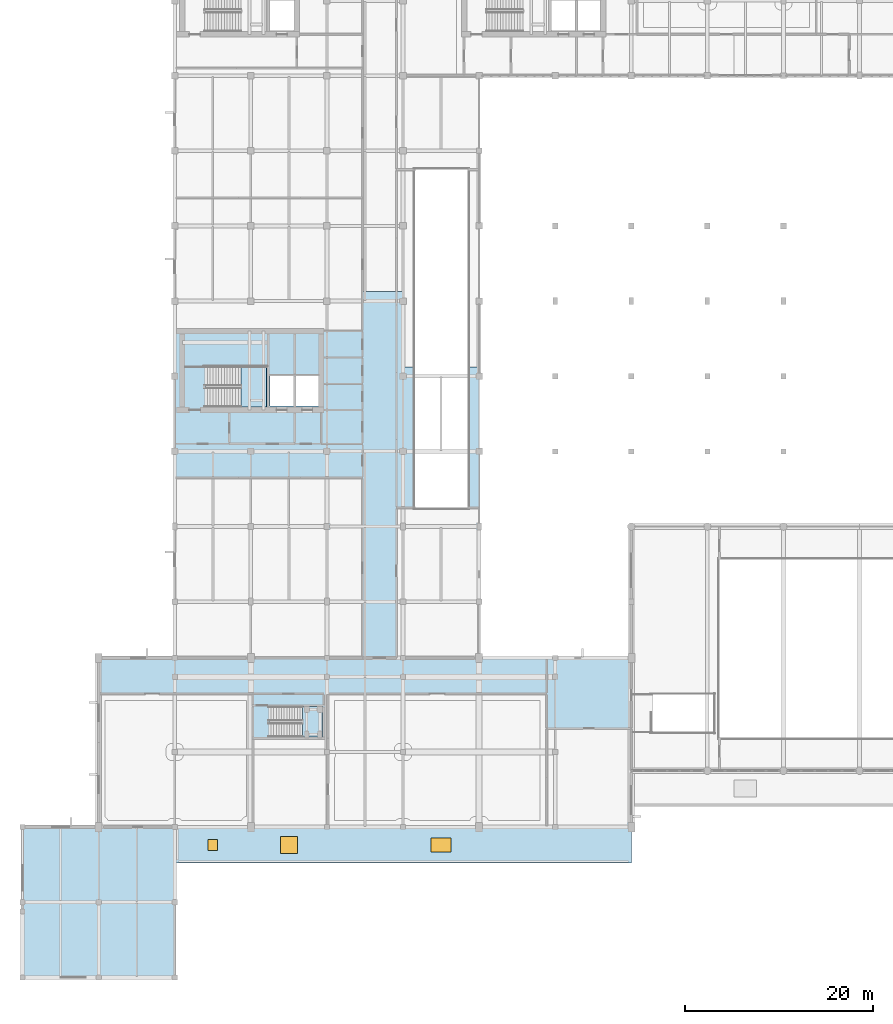
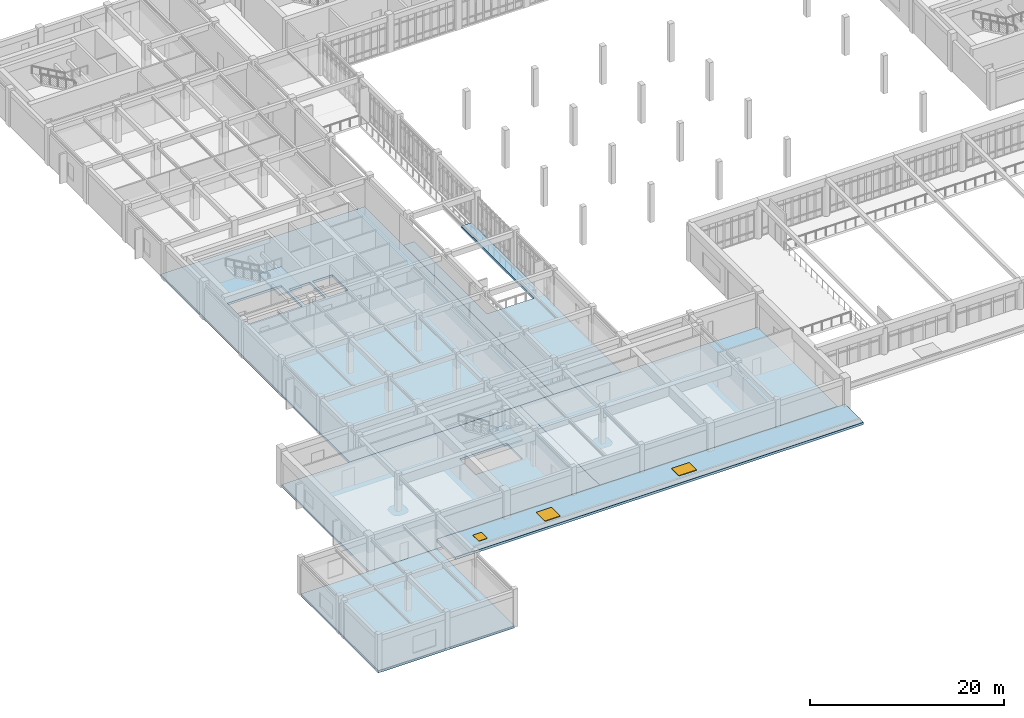
# One storey, part 28 of 61: 8 slabs, 2 windows, 1 door, 3 openings, 2 elements without a shape of their own.
"""IFC4 building model written with IfcOpenShell, lengths in metres."""

from ifc_helpers import new_model, si_unit, direction, frame, origin, origin_2d, place, context, subcontext, project, spatial, polyline, rectangle, outline, extrude, material, layer, layer_set, type_object, element, fill, aggregate, save


model = new_model("IFC4")

# Units and contexts
model_context = context("Model", 3, precision=1e-05, world=origin(), true_north=direction((0.0, 1.0)))
body_context = subcontext(model_context, "Body", "Model", "MODEL_VIEW")
ifc_project = project(units=[si_unit("LENGTHUNIT", "METRE"), si_unit("AREAUNIT", "SQUARE_METRE"), si_unit("VOLUMEUNIT", "CUBIC_METRE"), si_unit("PLANEANGLEUNIT", "RADIAN"), si_unit("MASSUNIT", "GRAM", prefix="KILO")], contexts=[model_context])

# Site, building, storey
site_placement = place(None, origin())
site = spatial("IfcSite", under=ifc_project, at=site_placement, CompositionType="ELEMENT")
building_placement = place(site_placement, origin())
building = spatial("IfcBuilding", under=site, at=building_placement, Name="Tarnveldt Square Police Headquarters", CompositionType="ELEMENT")
storey_placement = place(building_placement, frame((0.0, 0.0, 5.39990234375)))
storey = spatial("IfcBuildingStorey", under=building, at=storey_placement, Name="L01", CompositionType="ELEMENT", Elevation=5.39990234375)

# Slab, openings, door, windows
ifc_material_1 = material(Name="Concrete 40 MPa", Category="concrete")
ifc_layer_1 = layer(ifc_material_1, 0.300048828125)
ifc_layer_set_1 = layer_set([ifc_layer_1], Name="Concrete 40 MPa")
slab_type_1 = type_object("IfcSlabType", Name="SL-COL-300", PredefinedType="ROOF", material=ifc_layer_set_1)
slab_1_placement = place(storey_placement, frame((0.0, 0.0, 0.900146484375)))
slab_1 = element("IfcSlab", 1, at=slab_1_placement, inside=storey, type_object=slab_type_1, Name="Tarnveldt Square Exposed Colonnade Deck COL-S-WEST", PredefinedType="ROOF", context=body_context, shape_type="SweptSolid", body=[
    extrude(outline(polyline([(16.199951171875, 12.199951171875), (16.199951171875, 16.0), (64.800048828125, 16.0), (64.800048828125, 12.199951171875), (16.199951171875, 12.199951171875)])), origin(), (0.0, 0.0, 1.0), 0.300048828125),
])
opening_1_placement = place(slab_1_placement, frame((28.35009765625, 14.10009765625, 0.0)))
opening_1 = element("IfcOpeningElement", 2, at=opening_1_placement, cuts=slab_1, Name="Opening SK1", PredefinedType="OPENING", context=body_context, shape_type="SweptSolid", body=[
    extrude(rectangle(XDim=1.800048828125, YDim=1.800048828125, at=origin_2d()), frame((0.0, 0.0, -0.010009765625)), (0.0, 0.0, 1.0), 0.380126953125),
])
opening_2_placement = place(slab_1_placement, frame((44.550048828125, 14.10009765625, 0.0)))
opening_2 = element("IfcOpeningElement", 3, at=opening_2_placement, cuts=slab_1, Name="Opening SK2", PredefinedType="OPENING", context=body_context, shape_type="SweptSolid", body=[
    extrude(rectangle(XDim=2.10009765625, YDim=1.5, at=origin_2d()), frame((0.0, 0.0, -0.010009765625)), (0.0, 0.0, 1.0), 0.380126953125),
])
opening_3_placement = place(slab_1_placement, frame((20.25, 14.10009765625, 0.0)))
opening_3 = element("IfcOpeningElement", 4, at=opening_3_placement, cuts=slab_1, Name="Opening RH1", PredefinedType="OPENING", context=body_context, shape_type="SweptSolid", body=[
    extrude(rectangle(XDim=1.0, YDim=1.199951171875, at=origin_2d()), frame((0.0, 0.0, -0.010009765625)), (0.0, 0.0, 1.0), 0.380126953125),
])
ifc_material_2 = material(Name="Steel 350W", Category="steel")
door_type = type_object("IfcDoorType", Name="HT-ROOF-100x120", OperationType="SINGLE_SWING_LEFT", PredefinedType="TRAPDOOR", material=ifc_material_2)
door_placement = place(opening_3_placement, frame((0.0, 0.0, 0.300048828125)))
door = element("IfcDoor", 5, at=door_placement, inside=storey, type_object=door_type, Name="Roof Maintenance Access Hatch HT-CND-1", OperationType="SINGLE_SWING_LEFT", OverallHeight=1.199951171875, OverallWidth=1.0, PredefinedType="TRAPDOOR", context=body_context, shape_type="SweptSolid", body=[
    extrude(rectangle(XDim=1.0, YDim=1.199951171875, at=origin_2d()), origin(), (0.0, 0.0, 1.0), 0.050048828125),
])
fill(opening_3, door)
ifc_material_3 = material(Name="Triple-glazed low-e laminated vision glass", Category="glass")
window_type_1 = type_object("IfcWindowType", Name="SKY-180x180", PartitioningType="SINGLE_PANEL", PredefinedType="SKYLIGHT", material=ifc_material_3)
window_1_placement = place(opening_1_placement, frame((0.0, 0.0, 0.300048828125)))
window_1 = element("IfcWindow", 6, at=window_1_placement, inside=storey, type_object=window_type_1, Name="Architectural Daylighting Skylight SKY-CND-1", OverallHeight=1.800048828125, OverallWidth=1.800048828125, PartitioningType="SINGLE_PANEL", PredefinedType="SKYLIGHT", context=body_context, shape_type="SweptSolid", body=[
    extrude(rectangle(XDim=1.800048828125, YDim=1.800048828125, at=origin_2d()), origin(), (0.0, 0.0, 1.0), 0.050048828125),
])
fill(opening_1, window_1)
window_type_2 = type_object("IfcWindowType", Name="SKY-210x150", PartitioningType="SINGLE_PANEL", PredefinedType="SKYLIGHT", material=ifc_material_3)
window_2_placement = place(opening_2_placement, frame((0.0, 0.0, 0.300048828125)))
window_2 = element("IfcWindow", 7, at=window_2_placement, inside=storey, type_object=window_type_2, Name="Architectural Daylighting Skylight SKY-CND-2", OverallHeight=1.5, OverallWidth=2.10009765625, PartitioningType="SINGLE_PANEL", PredefinedType="SKYLIGHT", context=body_context, shape_type="SweptSolid", body=[
    extrude(rectangle(XDim=2.10009765625, YDim=1.5, at=origin_2d()), origin(), (0.0, 0.0, 1.0), 0.050048828125),
])
fill(opening_2, window_2)

# Stair, slab
stair_type_1 = type_object("IfcStairType", Name="STR-HT-48A", PredefinedType="HALF_TURN_STAIR", material=ifc_material_1)
stair_1_placement = place(storey_placement, origin())
stair_1 = element("IfcStair", 8, at=stair_1_placement, inside=storey, type_object=stair_type_1, Name="L01 Core K1 Exit Stair ST1", PredefinedType="HALF_TURN_STAIR")
ifc_layer_2 = layer(ifc_material_1, 0.179931640625)
ifc_layer_set_2 = layer_set([ifc_layer_2], Name="Concrete 40 MPa")
slab_type_2 = type_object("IfcSlabType", Name="SL-LND-180", PredefinedType="LANDING", material=ifc_layer_set_2)
slab_2_placement = place(storey_placement, frame((0.0, 0.0, 2.2001953125)))
slab_2 = element("IfcSlab", 9, at=slab_2_placement, type_object=slab_type_2, Name="ST1 landing 1", PredefinedType="LANDING", context=body_context, shape_type="SweptSolid", body=[
    extrude(outline(polyline([(23.27001953125, 60.719970703125), (25.969970703125, 60.719970703125), (25.969970703125, 65.02001953125), (23.27001953125, 65.02001953125), (23.27001953125, 60.719970703125)])), origin(), (0.0, 0.0, 1.0), 0.199951171875),
])
aggregate(stair_1, [slab_2])

stair_type_2 = type_object("IfcStairType", Name="STR-HT-48C", PredefinedType="HALF_TURN_STAIR", material=ifc_material_1)
stair_2_placement = place(storey_placement, origin())
stair_2 = element("IfcStair", 10, at=stair_2_placement, inside=storey, type_object=stair_type_2, Name="L01 Plinth and Command Lantern Exit Stair ST6", PredefinedType="HALF_TURN_STAIR")
slab_3_placement = place(storey_placement, frame((0.0, 0.0, 2.2001953125)))
slab_3 = element("IfcSlab", 11, at=slab_3_placement, type_object=slab_type_2, Name="ST6 landing 1", PredefinedType="LANDING", context=body_context, shape_type="SweptSolid", body=[
    extrude(outline(polyline([(29.81005859375, 25.580078125), (31.949951171875, 25.580078125), (31.949951171875, 28.820068359375), (29.81005859375, 28.820068359375), (29.81005859375, 25.580078125)])), origin(), (0.0, 0.0, 1.0), 0.199951171875),
])
aggregate(stair_2, [slab_3])

# Slabs
ifc_layer_3 = layer(ifc_material_1, 0.280029296875)
ifc_layer_set_3 = layer_set([ifc_layer_3], Name="Concrete 40 MPa")
slab_type_3 = type_object("IfcSlabType", Name="SL-POD-280", PredefinedType="FLOOR", material=ifc_layer_set_3)
slab_4_placement = place(storey_placement, frame((0.0, 0.0, -0.27978515625)))
element("IfcSlab", 12, at=slab_4_placement, inside=storey, type_object=slab_type_3, Name="L01 Structural Floor Slab L01-V4-SW-1", PredefinedType="FLOOR", context=body_context, shape_type="SweptSolid", body=[
    extrude(outline(polyline([(16.199951171875, 16.0), (16.199951171875, 0.0), (0.0, 0.0), (0.0, 16.0), (16.199951171875, 16.0)])), origin(), (0.0, 0.0, 1.0), 0.27978515625),
])
slab_5_placement = place(storey_placement, frame((0.0, 0.0, -0.27978515625)))
element("IfcSlab", 13, at=slab_5_placement, inside=storey, type_object=slab_type_3, Name="L01 Structural Floor Slab L01-V4-1", PredefinedType="FLOOR", context=body_context, shape_type="SweptSolid", body=[
    extrude(outline(polyline([(16.199951171875, 16.0), (8.10009765625, 16.0), (8.10009765625, 34.0), (36.449951171875, 34.0), (36.449951171875, 16.0), (16.199951171875, 16.0)]), holes=[polyline([(26.31005859375, 28.820068359375), (26.31005859375, 25.580078125), (31.949951171875, 25.580078125), (31.949951171875, 28.820068359375), (26.31005859375, 28.820068359375)])]), origin(), (0.0, 0.0, 1.0), 0.27978515625),
])
slab_6_placement = place(storey_placement, frame((0.0, 0.0, -0.27978515625)))
element("IfcSlab", 14, at=slab_6_placement, inside=storey, type_object=slab_type_3, Name="L01 Structural Floor Slab L01-V4-2", PredefinedType="FLOOR", context=body_context, shape_type="SweptSolid", body=[
    extrude(outline(polyline([(64.800048828125, 16.0), (36.449951171875, 16.0), (36.449951171875, 34.0), (64.800048828125, 34.0), (64.800048828125, 16.0)])), origin(), (0.0, 0.0, 1.0), 0.27978515625),
])
slab_7_placement = place(storey_placement, frame((0.0, 0.0, -0.27978515625)))
element("IfcSlab", 15, at=slab_7_placement, inside=storey, type_object=slab_type_3, Name="L01 Structural Floor Slab L01-V5-1", PredefinedType="FLOOR", context=body_context, shape_type="SweptSolid", body=[
    extrude(outline(polyline([(40.5, 34.0), (16.199951171875, 34.0), (16.199951171875, 73.0), (40.5, 73.0), (40.5, 34.0)]), holes=[polyline([(26.330078125, 64.050048828125), (26.330078125, 60.85009765625), (28.8349609375, 60.85009765625), (28.8349609375, 64.050048828125), (26.330078125, 64.050048828125)]), polyline([(29.114990234375, 64.050048828125), (29.114990234375, 60.85009765625), (31.47998046875, 60.85009765625), (31.47998046875, 64.050048828125), (29.114990234375, 64.050048828125)]), polyline([(19.510009765625, 65.02001953125), (19.510009765625, 60.719970703125), (25.969970703125, 60.719970703125), (25.969970703125, 65.02001953125), (19.510009765625, 65.02001953125)])]), origin(), (0.0, 0.0, 1.0), 0.27978515625),
])
slab_8_placement = place(storey_placement, frame((0.0, 0.0, -0.27978515625)))
element("IfcSlab", 16, at=slab_8_placement, inside=storey, type_object=slab_type_3, Name="L01 Structural Floor Slab L01-WG-1", PredefinedType="FLOOR", context=body_context, shape_type="SweptSolid", body=[
    extrude(outline(polyline([(40.5, 65.0), (41.800048828125, 65.0), (41.800048828125, 50.0), (47.39990234375, 50.0), (47.39990234375, 65.0), (48.60009765625, 65.0), (48.60009765625, 34.0), (40.5, 34.0), (40.5, 65.0)])), origin(), (0.0, 0.0, 1.0), 0.27978515625),
])

save(model, "model.ifc")
